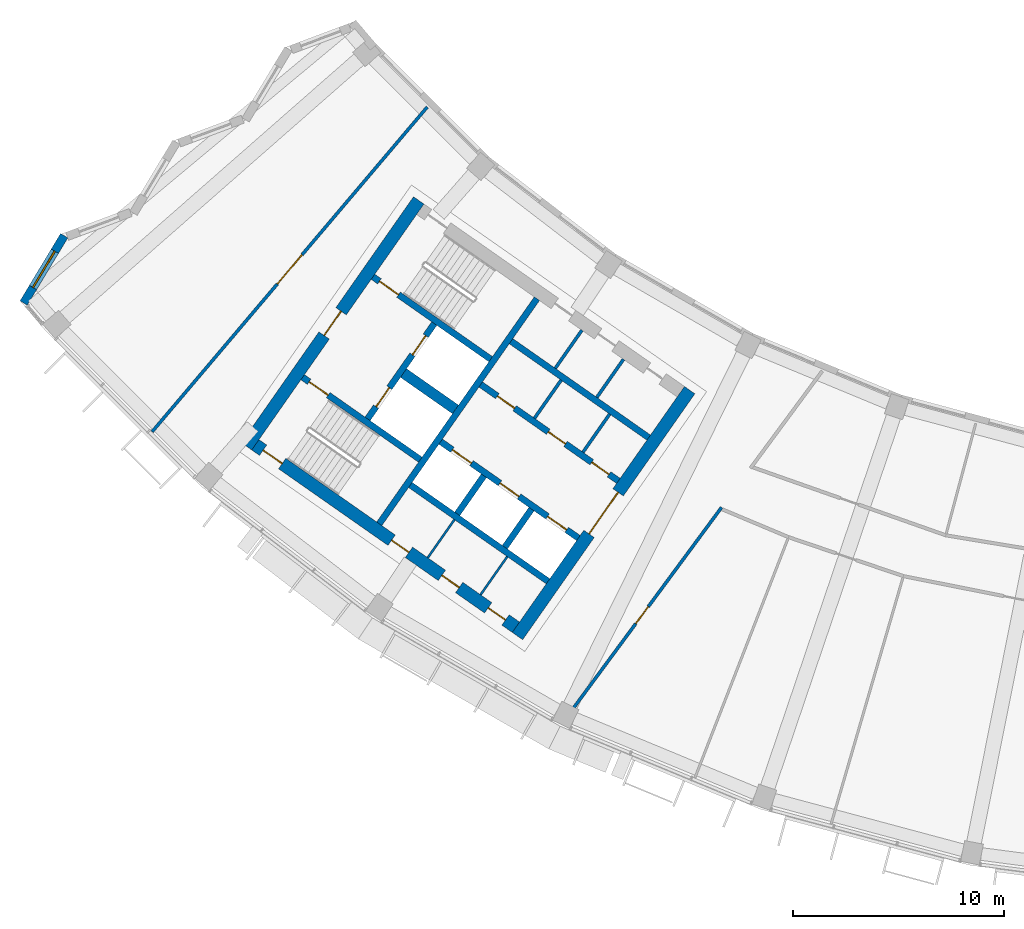
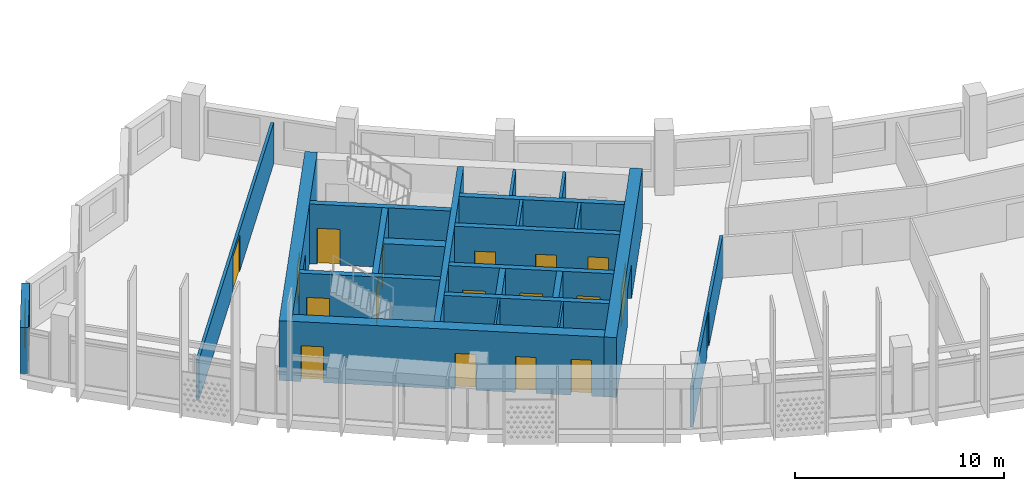
# One storey, part 3 of 28: 23 walls, 18 doors, 1 window, 19 openings.
"""IFC4 building model written with IfcOpenShell, lengths in metres."""

from ifc_helpers import new_model, si_unit, direction, frame, frame_2d, origin, place, context, subcontext, project, spatial, rectangle, extrude, material, layer, layer_set, type_object, element, fill, save


model = new_model("IFC4")

# Units and contexts
model_context = context("Model", 3, precision=1e-05, world=origin(), true_north=direction((0.0, 1.0)))
body_context = subcontext(model_context, "Body", "Model", "MODEL_VIEW")
ifc_project = project(units=[si_unit("LENGTHUNIT", "METRE"), si_unit("AREAUNIT", "SQUARE_METRE"), si_unit("VOLUMEUNIT", "CUBIC_METRE"), si_unit("PLANEANGLEUNIT", "RADIAN"), si_unit("MASSUNIT", "GRAM", prefix="KILO")], contexts=[model_context])

# Site, building, storey
site_placement = place(None, origin())
site = spatial("IfcSite", under=ifc_project, at=site_placement, CompositionType="ELEMENT")
building_placement = place(site_placement, origin())
building = spatial("IfcBuilding", under=site, at=building_placement, Name="Qamariyya Broadcast Tower", CompositionType="ELEMENT")
storey_placement = place(building_placement, frame((0.0, 0.0, 265.699951171875)))
storey = spatial("IfcBuildingStorey", under=building, at=storey_placement, Name="L64", CompositionType="ELEMENT", Elevation=265.699951171875)

# Wall, opening, door
ifc_material_1 = material(Name="Concrete C60/75", Category="concrete")
ifc_layer_1 = layer(ifc_material_1, 0.60009765625)
ifc_layer_set_1 = layer_set([ifc_layer_1], Name="Core wall 600 mm Concrete C60/75")
wall_type_1 = type_object("IfcWallType", Name="Core wall 600 mm Concrete C60/75", PredefinedType="SHEAR", material=ifc_layer_set_1)
wall_1_placement = place(storey_placement, frame((-36.66748046875, -66.005126953125, 0.0), z_axis=(0.0, 0.0, 1.0), x_axis=(0.573568499524, 0.819157601658, 0.0)))
wall_1 = element("IfcWall", 1, at=wall_1_placement, inside=storey, type_object=wall_type_1, Name="k-W-L64-WA", PredefinedType="SHEAR", context=body_context, shape_type="SweptSolid", body=[
    extrude(rectangle(XDim=14.19970703125, YDim=0.60009765625, at=frame_2d((7.099853515625, 0.0))), origin(), (0.0, 0.0, 1.0), 3.5),
])
opening_1_placement = place(wall_1_placement, frame((5.89990234375, 0.0, 0.0)))
opening_1 = element("IfcOpeningElement", 2, at=opening_1_placement, cuts=wall_1, Name="Opening KD3-W1", PredefinedType="OPENING", context=body_context, shape_type="SweptSolid", body=[
    extrude(rectangle(XDim=2.39990234375, YDim=2.10009765625, at=frame_2d((1.199951171875, 1.050048828125))), frame((0.0, 0.31005859375, 0.0), z_axis=(0.0, -1.0, 0.0), x_axis=(1.0, 0.0, 0.0)), (0.0, 0.0, 1.0), 0.6201171875),
])
ifc_material_2 = material(Name="Steel fire-resisting door leaf", Category="steel")
door_type_1 = type_object("IfcDoorType", Name="Lift lobby door KD3", OperationType="DOUBLE_DOOR_SINGLE_SWING", PredefinedType="DOOR", material=ifc_material_2)
door_1_placement = place(opening_1_placement, origin())
door_1 = element("IfcDoor", 3, at=door_1_placement, inside=storey, type_object=door_type_1, Name="k-W-L64-WA-D1", OperationType="DOUBLE_DOOR_SINGLE_SWING", OverallHeight=2.10009765625, OverallWidth=2.39990234375, PredefinedType="DOOR", context=body_context, shape_type="SweptSolid", body=[
    extrude(rectangle(XDim=2.39990234375, YDim=2.10009765625, at=frame_2d((1.199951171875, 1.050048828125))), frame((0.0, 0.02490234375, 0.0), z_axis=(0.0, -1.0, 0.0), x_axis=(1.0, 0.0, 0.0)), (0.0, 0.0, 1.0), 0.050048828125),
])
fill(opening_1, door_1)

wall_2_placement = place(storey_placement, frame((-49.4833984375, -57.031494140625, 0.0), z_axis=(0.0, 0.0, 1.0), x_axis=(0.573560421458, 0.819163257805, 0.0)))
wall_2 = element("IfcWall", 4, at=wall_2_placement, inside=storey, type_object=wall_type_1, Name="k-W-L64-WH", PredefinedType="SHEAR", context=body_context, shape_type="SweptSolid", body=[
    extrude(rectangle(XDim=14.199951171875, YDim=0.60009765625, at=frame_2d((7.10009765625, 0.0))), origin(), (0.0, 0.0, 1.0), 3.5),
])
opening_2_placement = place(wall_2_placement, frame((6.39990234375, 0.0, 0.0)))
opening_2 = element("IfcOpeningElement", 5, at=opening_2_placement, cuts=wall_2, Name="Opening KD2-W1", PredefinedType="OPENING", context=body_context, shape_type="SweptSolid", body=[
    extrude(rectangle(XDim=1.39990234375, YDim=2.10009765625, at=frame_2d((0.699951171875, 1.050048828125))), frame((0.0, 0.31005859375, 0.0), z_axis=(0.0, -1.0, 0.0), x_axis=(1.0, 0.0, 0.0)), (0.0, 0.0, 1.0), 0.6201171875),
])
door_type_2 = type_object("IfcDoorType", Name="Fire-fighting lobby door KD2", OperationType="DOUBLE_DOOR_SINGLE_SWING", PredefinedType="DOOR", material=ifc_material_2)
door_2_placement = place(opening_2_placement, origin())
door_2 = element("IfcDoor", 6, at=door_2_placement, inside=storey, type_object=door_type_2, Name="k-W-L64-WH-D16", OperationType="DOUBLE_DOOR_SINGLE_SWING", OverallHeight=2.10009765625, OverallWidth=1.39990234375, PredefinedType="DOOR", context=body_context, shape_type="SweptSolid", body=[
    extrude(rectangle(XDim=1.39990234375, YDim=2.10009765625, at=frame_2d((0.699951171875, 1.050048828125))), frame((0.0, 0.02490234375, 0.0), z_axis=(0.0, -1.0, 0.0), x_axis=(1.0, 0.0, 0.0)), (0.0, 0.0, 1.0), 0.050048828125),
])
fill(opening_2, door_2)

# Wall, openings, doors
wall_3_placement = place(storey_placement, frame((-36.7412109375, -65.58740234375, 0.0), z_axis=(0.0, 0.0, 1.0), x_axis=(-0.819153391756, 0.573574511963, 0.0)))
wall_3 = element("IfcWall", 7, at=wall_3_placement, inside=storey, type_object=wall_type_1, Name="k-W-L64-WO", PredefinedType="SHEAR", context=body_context, shape_type="SweptSolid", body=[
    extrude(rectangle(XDim=15.04541015625, YDim=0.60009765625, at=frame_2d((7.522705078125, 0.0))), origin(), (0.0, 0.0, 1.0), 3.5),
])
opening_3_placement = place(wall_3_placement, frame((0.60009765625, 0.0, 0.0)))
opening_3 = element("IfcOpeningElement", 8, at=opening_3_placement, cuts=wall_3, Name="Opening KD4-W2", PredefinedType="OPENING", context=body_context, shape_type="SweptSolid", body=[
    extrude(rectangle(XDim=1.0, YDim=2.10009765625, at=frame_2d((0.5, 1.050048828125))), frame((0.0, 0.31005859375, 0.0), z_axis=(0.0, -1.0, 0.0), x_axis=(1.0, 0.0, 0.0)), (0.0, 0.0, 1.0), 0.6201171875),
])
opening_4_placement = place(wall_3_placement, frame((3.27490234375, 0.0, 0.0)))
opening_4 = element("IfcOpeningElement", 9, at=opening_4_placement, cuts=wall_3, Name="Opening KD4-W3", PredefinedType="OPENING", context=body_context, shape_type="SweptSolid", body=[
    extrude(rectangle(XDim=1.0, YDim=2.10009765625, at=frame_2d((0.5, 1.050048828125))), frame((0.0, 0.31005859375, 0.0), z_axis=(0.0, -1.0, 0.0), x_axis=(1.0, 0.0, 0.0)), (0.0, 0.0, 1.0), 0.6201171875),
])
opening_5_placement = place(wall_3_placement, frame((6.175048828125, 0.0, 0.0)))
opening_5 = element("IfcOpeningElement", 10, at=opening_5_placement, cuts=wall_3, Name="Opening KD4-W4", PredefinedType="OPENING", context=body_context, shape_type="SweptSolid", body=[
    extrude(rectangle(XDim=1.0, YDim=2.10009765625, at=frame_2d((0.5, 1.050048828125))), frame((0.0, 0.31005859375, 0.0), z_axis=(0.0, -1.0, 0.0), x_axis=(1.0, 0.0, 0.0)), (0.0, 0.0, 1.0), 0.6201171875),
])
opening_6_placement = place(wall_3_placement, frame((13.495361328125, 0.0, 0.0)))
opening_6 = element("IfcOpeningElement", 11, at=opening_6_placement, cuts=wall_3, Name="Opening KD1-W3", PredefinedType="OPENING", context=body_context, shape_type="SweptSolid", body=[
    extrude(rectangle(XDim=1.10009765625, YDim=2.10009765625, at=frame_2d((0.550048828125, 1.050048828125))), frame((0.0, 0.31005859375, 0.0), z_axis=(0.0, -1.0, 0.0), x_axis=(1.0, 0.0, 0.0)), (0.0, 0.0, 1.0), 0.6201171875),
])
door_type_3 = type_object("IfcDoorType", Name="Riser and plant door KD4", OperationType="SINGLE_SWING_LEFT", PredefinedType="DOOR", material=ifc_material_2)
door_3_placement = place(opening_3_placement, origin())
door_3 = element("IfcDoor", 12, at=door_3_placement, inside=storey, type_object=door_type_3, Name="k-W-L64-WO-D11", OperationType="SINGLE_SWING_RIGHT", OverallHeight=2.10009765625, OverallWidth=1.0, PredefinedType="DOOR", context=body_context, shape_type="SweptSolid", body=[
    extrude(rectangle(XDim=1.0, YDim=2.10009765625, at=frame_2d((0.5, 1.050048828125))), frame((0.0, 0.02490234375, 0.0), z_axis=(0.0, -1.0, 0.0), x_axis=(1.0, 0.0, 0.0)), (0.0, 0.0, 1.0), 0.050048828125),
])
fill(opening_3, door_3)
door_4_placement = place(opening_4_placement, origin())
door_4 = element("IfcDoor", 13, at=door_4_placement, inside=storey, type_object=door_type_3, Name="k-W-L64-WO-D12", OperationType="SINGLE_SWING_LEFT", OverallHeight=2.10009765625, OverallWidth=1.0, PredefinedType="DOOR", context=body_context, shape_type="SweptSolid", body=[
    extrude(rectangle(XDim=1.0, YDim=2.10009765625, at=frame_2d((0.5, 1.050048828125))), frame((0.0, 0.02490234375, 0.0), z_axis=(0.0, -1.0, 0.0), x_axis=(1.0, 0.0, 0.0)), (0.0, 0.0, 1.0), 0.050048828125),
])
fill(opening_4, door_4)
door_5_placement = place(opening_5_placement, origin())
door_5 = element("IfcDoor", 14, at=door_5_placement, inside=storey, type_object=door_type_3, Name="k-W-L64-WO-D13", OperationType="SINGLE_SWING_RIGHT", OverallHeight=2.10009765625, OverallWidth=1.0, PredefinedType="DOOR", context=body_context, shape_type="SweptSolid", body=[
    extrude(rectangle(XDim=1.0, YDim=2.10009765625, at=frame_2d((0.5, 1.050048828125))), frame((0.0, 0.02490234375, 0.0), z_axis=(0.0, -1.0, 0.0), x_axis=(1.0, 0.0, 0.0)), (0.0, 0.0, 1.0), 0.050048828125),
])
fill(opening_5, door_5)
door_type_4 = type_object("IfcDoorType", Name="Stair door KD1", OperationType="SINGLE_SWING_LEFT", PredefinedType="DOOR", material=ifc_material_2)
door_6_placement = place(opening_6_placement, origin())
door_6 = element("IfcDoor", 15, at=door_6_placement, inside=storey, type_object=door_type_4, Name="k-W-L64-WO-D19", OperationType="SINGLE_SWING_LEFT", OverallHeight=2.10009765625, OverallWidth=1.10009765625, PredefinedType="DOOR", context=body_context, shape_type="SweptSolid", body=[
    extrude(rectangle(XDim=1.10009765625, YDim=2.10009765625, at=frame_2d((0.550048828125, 1.050048828125))), frame((0.0, 0.02490234375, 0.0), z_axis=(0.0, -1.0, 0.0), x_axis=(1.0, 0.0, 0.0)), (0.0, 0.0, 1.0), 0.050048828125),
])
fill(opening_6, door_6)

# Wall, opening, door
ifc_material_3 = material(Name="Gypsum board partition")
ifc_layer_2 = layer(ifc_material_3, 0.14990234375)
ifc_layer_set_2 = layer_set([ifc_layer_2], Name="Corridor partition 150 EI 60")
wall_type_2 = type_object("IfcWallType", Name="Corridor partition 150 EI 60", PredefinedType="PARTITIONING", material=ifc_layer_set_2)
wall_4_placement = place(storey_placement, frame((-53.946044921875, -56.33837890625, 0.0), z_axis=(0.0, 0.0, 1.0), x_axis=(0.646426079671, 0.76297662056, 0.0)))
wall_4 = element("IfcWall", 16, at=wall_4_placement, inside=storey, type_object=wall_type_2, Name="Partition L64-001", PredefinedType="PARTITIONING", context=body_context, shape_type="SweptSolid", body=[
    extrude(rectangle(XDim=20.1259765625, YDim=0.14990234375, at=frame_2d((10.06298828125, 0.0))), origin(), (0.0, 0.0, 1.0), 2.400146484375),
])
opening_7_placement = place(wall_4_placement, frame((9.1630859375, 0.0, 0.0)))
opening_7 = element("IfcOpeningElement", 17, at=opening_7_placement, cuts=wall_4, Name="Opening L64-D14", PredefinedType="OPENING", context=body_context, shape_type="SweptSolid", body=[
    extrude(rectangle(XDim=1.800048828125, YDim=2.10009765625, at=frame_2d((0.89990234375, 1.050048828125))), frame((0.0, 0.0849609375, 0.0), z_axis=(0.0, -1.0, 0.0), x_axis=(1.0, 0.0, 0.0)), (0.0, 0.0, 1.0), 0.169921875),
])
ifc_material_4 = material(Name="Timber fire door leaf", Category="wood")
door_type_5 = type_object("IfcDoorType", Name="Double fire door 1800 x 2100 FD60", OperationType="NOTDEFINED", PredefinedType="DOOR", material=ifc_material_4)
door_7_placement = place(opening_7_placement, origin())
door_7 = element("IfcDoor", 18, at=door_7_placement, inside=storey, type_object=door_type_5, Name="Door L64-D14", OperationType="DOUBLE_DOOR_SINGLE_SWING", OverallHeight=2.10009765625, OverallWidth=1.800048828125, PredefinedType="DOOR", context=body_context, shape_type="SweptSolid", body=[
    extrude(rectangle(XDim=1.800048828125, YDim=2.10009765625, at=frame_2d((0.89990234375, 1.050048828125))), frame((0.0, 0.02490234375, 0.0), z_axis=(0.0, -1.0, 0.0), x_axis=(1.0, 0.0, 0.0)), (0.0, 0.0, 1.0), 0.050048828125),
])
fill(opening_7, door_7)

wall_5_placement = place(storey_placement, frame((-27.012939453125, -59.919189453125, 0.0), z_axis=(0.0, 0.0, 1.0), x_axis=(-0.593869528805, -0.804561360467, 0.0)))
wall_5 = element("IfcWall", 19, at=wall_5_placement, inside=storey, type_object=wall_type_2, Name="Partition L64-003", PredefinedType="PARTITIONING", context=body_context, shape_type="SweptSolid", body=[
    extrude(rectangle(XDim=12.665283203125, YDim=0.14990234375, at=frame_2d((6.33251953125, 0.0))), origin(), (0.0, 0.0, 1.0), 2.400146484375),
])
opening_8_placement = place(wall_5_placement, frame((5.832763671875, 0.0, 0.0)))
opening_8 = element("IfcOpeningElement", 20, at=opening_8_placement, cuts=wall_5, Name="Opening L64-D01", PredefinedType="OPENING", context=body_context, shape_type="SweptSolid", body=[
    extrude(rectangle(XDim=1.0, YDim=2.10009765625, at=frame_2d((0.5, 1.050048828125))), frame((0.0, 0.0849609375, 0.0), z_axis=(0.0, -1.0, 0.0), x_axis=(1.0, 0.0, 0.0)), (0.0, 0.0, 1.0), 0.169921875),
])
door_type_6 = type_object("IfcDoorType", Name="Fire door 1000 x 2100 FD60", OperationType="NOTDEFINED", PredefinedType="DOOR", material=ifc_material_4)
door_8_placement = place(opening_8_placement, origin())
door_8 = element("IfcDoor", 21, at=door_8_placement, inside=storey, type_object=door_type_6, Name="Door L64-D01", OperationType="SINGLE_SWING_RIGHT", OverallHeight=2.10009765625, OverallWidth=1.0, PredefinedType="DOOR", context=body_context, shape_type="SweptSolid", body=[
    extrude(rectangle(XDim=1.0, YDim=2.10009765625, at=frame_2d((0.5, 1.050048828125))), frame((0.0, 0.02490234375, 0.0), z_axis=(0.0, -1.0, 0.0), x_axis=(1.0, 0.0, 0.0)), (0.0, 0.0, 1.0), 0.050048828125),
])
fill(opening_8, door_8)

# Walls
ifc_layer_3 = layer(ifc_material_1, 0.5)
ifc_layer_set_3 = layer_set([ifc_layer_3], Name="Fire-fighting lobby divider wall 500 mm Concrete C60/75")
wall_type_3 = type_object("IfcWallType", Name="Fire-fighting lobby divider wall 500 mm Concrete C60/75", PredefinedType="SOLIDWALL", material=ifc_layer_set_3)
wall_6_placement = place(storey_placement, frame((-39.59912109375, -55.28515625, 0.0), z_axis=(0.0, 0.0, 1.0), x_axis=(-0.819136323161, 0.573598887793, 0.0)))
element("IfcWall", 22, at=wall_6_placement, inside=storey, type_object=wall_type_3, Name="k-W-L64-FD", PredefinedType="SOLIDWALL", context=body_context, shape_type="SweptSolid", body=[
    extrude(rectangle(XDim=2.999755859375, YDim=0.5, at=frame_2d((1.5, 0.0))), origin(), (0.0, 0.0, 1.0), 3.5),
])
ifc_material_5 = material(Name="Gypsum board partition on steel studs", Category="steel")
ifc_layer_4 = layer(ifc_material_5, 0.14990234375)
ifc_layer_set_4 = layer_set([ifc_layer_4], Name="Gypsum board partition 150 mm")
wall_type_4 = type_object("IfcWallType", Name="Gypsum board partition 150 mm", PredefinedType="PARTITIONING", material=ifc_layer_set_4)
for number, where, z_axis, x_axis, name in (
    (23, (-33.569580078125, -57.3095703125, 0.0), (0.0, 0.0, 1.0), (0.573507030513, 0.819200638399, 0.0), "k-W-L64-NC215"),
    (24, (-35.86328125, -55.70361328125, 0.0), (0.0, 0.0, 1.0), (0.573507030513, 0.819200638399, 0.0), "k-W-L64-NC495"),
):
    element("IfcWall", number, at=place(storey_placement, frame(where, z_axis=z_axis, x_axis=x_axis)), inside=storey, type_object=wall_type_4, Name=name, PredefinedType="PARTITIONING", context=body_context, shape_type="SweptSolid", body=[
        extrude(rectangle(XDim=2.199951171875, YDim=0.14990234375, at=frame_2d((1.10009765625, 0.0))), origin(), (0.0, 0.0, 1.0), 3.5),
    ])
wall_7_placement = place(storey_placement, frame((-32.9140625, -54.716796875, 0.0), z_axis=(0.0, 0.0, 1.0), x_axis=(0.573581496053, 0.819148501424, 0.0)))
element("IfcWall", 25, at=wall_7_placement, inside=storey, type_object=wall_type_4, Name="k-W-L64-NP310", PredefinedType="PARTITIONING", context=body_context, shape_type="SweptSolid", body=[
    extrude(rectangle(XDim=2.2001953125, YDim=0.14990234375, at=frame_2d((1.10009765625, 0.0))), origin(), (0.0, 0.0, 1.0), 3.5),
])
wall_8_placement = place(storey_placement, frame((-34.8798828125, -53.340087890625, 0.0), z_axis=(0.0, 0.0, 1.0), x_axis=(0.573559170999, 0.819164133348, 0.0)))
element("IfcWall", 26, at=wall_8_placement, inside=storey, type_object=wall_type_4, Name="k-W-L64-NP550", PredefinedType="PARTITIONING", context=body_context, shape_type="SweptSolid", body=[
    extrude(rectangle(XDim=2.19970703125, YDim=0.14990234375, at=frame_2d((1.099853515625, 0.0))), origin(), (0.0, 0.0, 1.0), 3.5),
])
ifc_layer_5 = layer(ifc_material_1, 0.300048828125)
ifc_layer_set_5 = layer_set([ifc_layer_5], Name="Lift shaft wall 300 mm Concrete C60/75")
wall_type_5 = type_object("IfcWallType", Name="Lift shaft wall 300 mm Concrete C60/75", PredefinedType="SOLIDWALL", material=ifc_layer_set_5)
wall_9_placement = place(storey_placement, frame((-43.204345703125, -60.69580078125, 0.0), z_axis=(0.0, 0.0, 1.0), x_axis=(0.573571992966, 0.819155155563, 0.0)))
element("IfcWall", 27, at=wall_9_placement, inside=storey, type_object=wall_type_5, Name="k-W-L64-WL", PredefinedType="SOLIDWALL", context=body_context, shape_type="SweptSolid", body=[
    extrude(rectangle(XDim=13.000244140625, YDim=0.300048828125, at=frame_2d((6.5, 0.0))), origin(), (0.0, 0.0, 1.0), 3.5),
])

# Wall, openings, doors
wall_10_placement = place(storey_placement, frame((-31.89453125, -58.66552734375, 0.0), z_axis=(0.0, 0.0, 1.0), x_axis=(-0.819166993208, 0.573555086491, 0.0)))
wall_10 = element("IfcWall", 28, at=wall_10_placement, inside=storey, type_object=wall_type_5, Name="k-W-L64-NF0", PredefinedType="SOLIDWALL", context=body_context, shape_type="SweptSolid", body=[
    extrude(rectangle(XDim=7.9501953125, YDim=0.300048828125, at=frame_2d((3.97509765625, 0.0))), origin(), (0.0, 0.0, 1.0), 3.5),
])
opening_9_placement = place(wall_10_placement, frame((0.53759765625, 0.0, 0.0)))
opening_9 = element("IfcOpeningElement", 29, at=opening_9_placement, cuts=wall_10, Name="Opening KD6-W1", PredefinedType="OPENING", context=body_context, shape_type="SweptSolid", body=[
    extrude(rectangle(XDim=1.0, YDim=2.10009765625, at=frame_2d((0.5, 1.050048828125))), frame((0.0, 0.159912109375, 0.0), z_axis=(0.0, -1.0, 0.0), x_axis=(1.0, 0.0, 0.0)), (0.0, 0.0, 1.0), 0.320068359375),
])
opening_10_placement = place(wall_10_placement, frame((3.050048828125, 0.0, 0.0)))
opening_10 = element("IfcOpeningElement", 30, at=opening_10_placement, cuts=wall_10, Name="Opening KD6-W2", PredefinedType="OPENING", context=body_context, shape_type="SweptSolid", body=[
    extrude(rectangle(XDim=1.0, YDim=2.10009765625, at=frame_2d((0.5, 1.050048828125))), frame((0.0, 0.159912109375, 0.0), z_axis=(0.0, -1.0, 0.0), x_axis=(1.0, 0.0, 0.0)), (0.0, 0.0, 1.0), 0.320068359375),
])
opening_11_placement = place(wall_10_placement, frame((5.987548828125, 0.0, 0.0)))
opening_11 = element("IfcOpeningElement", 31, at=opening_11_placement, cuts=wall_10, Name="Opening KD4-W1", PredefinedType="OPENING", context=body_context, shape_type="SweptSolid", body=[
    extrude(rectangle(XDim=1.0, YDim=2.10009765625, at=frame_2d((0.5, 1.050048828125))), frame((0.0, 0.159912109375, 0.0), z_axis=(0.0, -1.0, 0.0), x_axis=(1.0, 0.0, 0.0)), (0.0, 0.0, 1.0), 0.320068359375),
])
door_type_7 = type_object("IfcDoorType", Name="Core room door KD6", OperationType="SINGLE_SWING_LEFT", PredefinedType="DOOR", material=ifc_material_2)
door_9_placement = place(opening_9_placement, origin())
door_9 = element("IfcDoor", 32, at=door_9_placement, inside=storey, type_object=door_type_7, Name="k-W-L64-NF0-D2", OperationType="SINGLE_SWING_LEFT", OverallHeight=2.10009765625, OverallWidth=1.0, PredefinedType="DOOR", context=body_context, shape_type="SweptSolid", body=[
    extrude(rectangle(XDim=1.0, YDim=2.10009765625, at=frame_2d((0.5, 1.050048828125))), frame((0.0, 0.02490234375, 0.0), z_axis=(0.0, -1.0, 0.0), x_axis=(1.0, 0.0, 0.0)), (0.0, 0.0, 1.0), 0.050048828125),
])
fill(opening_9, door_9)
door_10_placement = place(opening_10_placement, origin())
door_10 = element("IfcDoor", 33, at=door_10_placement, inside=storey, type_object=door_type_7, Name="k-W-L64-NF0-D3", OperationType="SINGLE_SWING_RIGHT", OverallHeight=2.10009765625, OverallWidth=1.0, PredefinedType="DOOR", context=body_context, shape_type="SweptSolid", body=[
    extrude(rectangle(XDim=1.0, YDim=2.10009765625, at=frame_2d((0.5, 1.050048828125))), frame((0.0, 0.02490234375, 0.0), z_axis=(0.0, -1.0, 0.0), x_axis=(1.0, 0.0, 0.0)), (0.0, 0.0, 1.0), 0.050048828125),
])
fill(opening_10, door_10)
door_11_placement = place(opening_11_placement, origin())
door_11 = element("IfcDoor", 34, at=door_11_placement, inside=storey, type_object=door_type_3, Name="k-W-L64-NF0-D4", OperationType="SINGLE_SWING_LEFT", OverallHeight=2.10009765625, OverallWidth=1.0, PredefinedType="DOOR", context=body_context, shape_type="SweptSolid", body=[
    extrude(rectangle(XDim=1.0, YDim=2.10009765625, at=frame_2d((0.5, 1.050048828125))), frame((0.0, 0.02490234375, 0.0), z_axis=(0.0, -1.0, 0.0), x_axis=(1.0, 0.0, 0.0)), (0.0, 0.0, 1.0), 0.050048828125),
])
fill(opening_11, door_11)

# Wall
wall_11_placement = place(storey_placement, frame((-30.460693359375, -56.61767578125, 0.0), z_axis=(0.0, 0.0, 1.0), x_axis=(-0.819142461705, 0.573590121456, 0.0)))
element("IfcWall", 35, at=wall_11_placement, inside=storey, type_object=wall_type_5, Name="k-W-L64-NB0", PredefinedType="SOLIDWALL", context=body_context, shape_type="SweptSolid", body=[
    extrude(rectangle(XDim=7.949951171875, YDim=0.300048828125, at=frame_2d((3.97509765625, 0.0))), origin(), (0.0, 0.0, 1.0), 3.5),
])

# Wall, openings, doors
wall_12_placement = place(storey_placement, frame((-33.787353515625, -61.368896484375, 0.0), z_axis=(0.0, 0.0, 1.0), x_axis=(-0.819152564888, 0.573575692858, 0.0)))
wall_12 = element("IfcWall", 36, at=wall_12_placement, inside=storey, type_object=wall_type_5, Name="k-W-L64-SF0", PredefinedType="SOLIDWALL", context=body_context, shape_type="SweptSolid", body=[
    extrude(rectangle(XDim=7.9501953125, YDim=0.300048828125, at=frame_2d((3.97509765625, 0.0))), origin(), (0.0, 0.0, 1.0), 3.5),
])
opening_12_placement = place(wall_12_placement, frame((0.675048828125, 0.0, 0.0)))
opening_12 = element("IfcOpeningElement", 37, at=opening_12_placement, cuts=wall_12, Name="Opening LD", PredefinedType="OPENING", context=body_context, shape_type="SweptSolid", body=[
    extrude(rectangle(XDim=1.10009765625, YDim=2.10009765625, at=frame_2d((0.550048828125, 1.050048828125))), frame((0.0, 0.159912109375, 0.0), z_axis=(0.0, -1.0, 0.0), x_axis=(1.0, 0.0, 0.0)), (0.0, 0.0, 1.0), 0.320068359375),
])
opening_13_placement = place(wall_12_placement, frame((3.425048828125, 0.0, 0.0)))
opening_13 = element("IfcOpeningElement", 38, at=opening_13_placement, cuts=wall_12, Name="Opening LD", PredefinedType="OPENING", context=body_context, shape_type="SweptSolid", body=[
    extrude(rectangle(XDim=1.10009765625, YDim=2.10009765625, at=frame_2d((0.550048828125, 1.050048828125))), frame((0.0, 0.159912109375, 0.0), z_axis=(0.0, -1.0, 0.0), x_axis=(1.0, 0.0, 0.0)), (0.0, 0.0, 1.0), 0.320068359375),
])
opening_14_placement = place(wall_12_placement, frame((6.175048828125, 0.0, 0.0)))
opening_14 = element("IfcOpeningElement", 39, at=opening_14_placement, cuts=wall_12, Name="Opening LD", PredefinedType="OPENING", context=body_context, shape_type="SweptSolid", body=[
    extrude(rectangle(XDim=1.10009765625, YDim=2.10009765625, at=frame_2d((0.550048828125, 1.050048828125))), frame((0.0, 0.159912109375, 0.0), z_axis=(0.0, -1.0, 0.0), x_axis=(1.0, 0.0, 0.0)), (0.0, 0.0, 1.0), 0.320068359375),
])
door_type_8 = type_object("IfcDoorType", Name="Lift landing door LD", OperationType="DOUBLE_DOOR_SLIDING", PredefinedType="DOOR", material=ifc_material_2)
door_12_placement = place(opening_12_placement, origin())
door_12 = element("IfcDoor", 40, at=door_12_placement, inside=storey, type_object=door_type_8, Name="k-W-L64-SF0-D5", OperationType="DOUBLE_DOOR_SLIDING", OverallHeight=2.10009765625, OverallWidth=1.10009765625, PredefinedType="DOOR", context=body_context, shape_type="SweptSolid", body=[
    extrude(rectangle(XDim=1.10009765625, YDim=2.10009765625, at=frame_2d((0.550048828125, 1.050048828125))), frame((0.0, 0.02490234375, 0.0), z_axis=(0.0, -1.0, 0.0), x_axis=(1.0, 0.0, 0.0)), (0.0, 0.0, 1.0), 0.050048828125),
])
fill(opening_12, door_12)
door_13_placement = place(opening_13_placement, origin())
door_13 = element("IfcDoor", 41, at=door_13_placement, inside=storey, type_object=door_type_8, Name="k-W-L64-SF0-D6", OperationType="DOUBLE_DOOR_SLIDING", OverallHeight=2.10009765625, OverallWidth=1.10009765625, PredefinedType="DOOR", context=body_context, shape_type="SweptSolid", body=[
    extrude(rectangle(XDim=1.10009765625, YDim=2.10009765625, at=frame_2d((0.550048828125, 1.050048828125))), frame((0.0, 0.02490234375, 0.0), z_axis=(0.0, -1.0, 0.0), x_axis=(1.0, 0.0, 0.0)), (0.0, 0.0, 1.0), 0.050048828125),
])
fill(opening_13, door_13)
door_14_placement = place(opening_14_placement, origin())
door_14 = element("IfcDoor", 42, at=door_14_placement, inside=storey, type_object=door_type_8, Name="k-W-L64-SF0-D7", OperationType="DOUBLE_DOOR_SLIDING", OverallHeight=2.10009765625, OverallWidth=1.10009765625, PredefinedType="DOOR", context=body_context, shape_type="SweptSolid", body=[
    extrude(rectangle(XDim=1.10009765625, YDim=2.10009765625, at=frame_2d((0.550048828125, 1.050048828125))), frame((0.0, 0.02490234375, 0.0), z_axis=(0.0, -1.0, 0.0), x_axis=(1.0, 0.0, 0.0)), (0.0, 0.0, 1.0), 0.050048828125),
])
fill(opening_14, door_14)

# Walls
wall_13_placement = place(storey_placement, frame((-35.22119140625, -63.41650390625, 0.0), z_axis=(0.0, 0.0, 1.0), x_axis=(-0.819166993208, 0.573555086491, 0.0)))
element("IfcWall", 43, at=wall_13_placement, inside=storey, type_object=wall_type_5, Name="k-W-L64-SB0", PredefinedType="SOLIDWALL", context=body_context, shape_type="SweptSolid", body=[
    extrude(rectangle(XDim=7.9501953125, YDim=0.300048828125, at=frame_2d((3.97509765625, 0.0))), origin(), (0.0, 0.0, 1.0), 3.5),
])
wall_14_placement = place(storey_placement, frame((-36.003173828125, -60.000244140625, 0.0), z_axis=(0.0, 0.0, 1.0), x_axis=(-0.573581496053, -0.819148501424, 0.0)))
element("IfcWall", 44, at=wall_14_placement, inside=storey, type_object=wall_type_5, Name="k-W-L64-SD0", PredefinedType="SOLIDWALL", context=body_context, shape_type="SweptSolid", body=[
    extrude(rectangle(XDim=2.2001953125, YDim=0.300048828125, at=frame_2d((1.10009765625, 0.0))), origin(), (0.0, 0.0, 1.0), 3.5),
])
wall_15_placement = place(storey_placement, frame((-38.255859375, -58.423095703125, 0.0), z_axis=(0.0, 0.0, 1.0), x_axis=(-0.573633636671, -0.819111989218, 0.0)))
element("IfcWall", 45, at=wall_15_placement, inside=storey, type_object=wall_type_5, Name="k-W-L64-SD1", PredefinedType="SOLIDWALL", context=body_context, shape_type="SweptSolid", body=[
    extrude(rectangle(XDim=2.199951171875, YDim=0.300048828125, at=frame_2d((1.10009765625, 0.0))), origin(), (0.0, 0.0, 1.0), 3.5),
])

# Wall, opening, door
wall_16_placement = place(storey_placement, frame((-37.935546875, -52.90966796875, 0.0), z_axis=(0.0, 0.0, 1.0), x_axis=(-0.819147518138, 0.57358290031, 0.0)))
wall_16 = element("IfcWall", 46, at=wall_16_placement, inside=storey, type_object=wall_type_5, Name="k-W-L64-NW", PredefinedType="SOLIDWALL", context=body_context, shape_type="SweptSolid", body=[
    extrude(rectangle(XDim=6.79541015625, YDim=0.300048828125, at=frame_2d((3.397705078125, 0.0))), origin(), (0.0, 0.0, 1.0), 3.5),
])
opening_15_placement = place(wall_16_placement, frame((5.3203125, 0.0, 0.0)))
opening_15 = element("IfcOpeningElement", 47, at=opening_15_placement, cuts=wall_16, Name="Opening KD1-W2", PredefinedType="OPENING", context=body_context, shape_type="SweptSolid", body=[
    extrude(rectangle(XDim=1.10009765625, YDim=2.10009765625, at=frame_2d((0.550048828125, 1.050048828125))), frame((0.0, 0.159912109375, 0.0), z_axis=(0.0, -1.0, 0.0), x_axis=(1.0, 0.0, 0.0)), (0.0, 0.0, 1.0), 0.320068359375),
])
door_15_placement = place(opening_15_placement, origin())
door_15 = element("IfcDoor", 48, at=door_15_placement, inside=storey, type_object=door_type_4, Name="k-W-L64-NW-D18", OperationType="SINGLE_SWING_LEFT", OverallHeight=2.10009765625, OverallWidth=1.10009765625, PredefinedType="DOOR", context=body_context, shape_type="SweptSolid", body=[
    extrude(rectangle(XDim=1.10009765625, YDim=2.10009765625, at=frame_2d((0.550048828125, 1.050048828125))), frame((0.0, 0.02490234375, 0.0), z_axis=(0.0, -1.0, 0.0), x_axis=(1.0, 0.0, 0.0)), (0.0, 0.0, 1.0), 0.050048828125),
])
fill(opening_15, door_15)

wall_17_placement = place(storey_placement, frame((-41.262451171875, -57.66064453125, 0.0), z_axis=(0.0, 0.0, 1.0), x_axis=(-0.819164398642, 0.573558792102, 0.0)))
wall_17 = element("IfcWall", 49, at=wall_17_placement, inside=storey, type_object=wall_type_5, Name="k-W-L64-SW", PredefinedType="SOLIDWALL", context=body_context, shape_type="SweptSolid", body=[
    extrude(rectangle(XDim=6.795166015625, YDim=0.300048828125, at=frame_2d((3.3974609375, 0.0))), origin(), (0.0, 0.0, 1.0), 3.5),
])
opening_16_placement = place(wall_17_placement, frame((5.3203125, 0.0, 0.0)))
opening_16 = element("IfcOpeningElement", 50, at=opening_16_placement, cuts=wall_17, Name="Opening KD1-W4", PredefinedType="OPENING", context=body_context, shape_type="SweptSolid", body=[
    extrude(rectangle(XDim=1.10009765625, YDim=2.10009765625, at=frame_2d((0.550048828125, 1.050048828125))), frame((0.0, 0.159912109375, 0.0), z_axis=(0.0, -1.0, 0.0), x_axis=(1.0, 0.0, 0.0)), (0.0, 0.0, 1.0), 0.320068359375),
])
door_16_placement = place(opening_16_placement, origin())
door_16 = element("IfcDoor", 51, at=door_16_placement, inside=storey, type_object=door_type_4, Name="k-W-L64-SW-D20", OperationType="SINGLE_SWING_LEFT", OverallHeight=2.10009765625, OverallWidth=1.10009765625, PredefinedType="DOOR", context=body_context, shape_type="SweptSolid", body=[
    extrude(rectangle(XDim=1.10009765625, YDim=2.10009765625, at=frame_2d((0.550048828125, 1.050048828125))), frame((0.0, 0.02490234375, 0.0), z_axis=(0.0, -1.0, 0.0), x_axis=(1.0, 0.0, 0.0)), (0.0, 0.0, 1.0), 0.050048828125),
])
fill(opening_16, door_16)

# Wall, openings, doors
wall_18_placement = place(storey_placement, frame((-43.756591796875, -55.731201171875, 0.0), z_axis=(0.0, 0.0, 1.0), x_axis=(0.573536818435, 0.819179783625, 0.0)))
wall_18 = element("IfcWall", 52, at=wall_18_placement, inside=storey, type_object=wall_type_5, Name="k-W-L64-FF", PredefinedType="SOLIDWALL", context=body_context, shape_type="SweptSolid", body=[
    extrude(rectangle(XDim=5.500244140625, YDim=0.300048828125, at=frame_2d((2.75, 0.0))), origin(), (0.0, 0.0, 1.0), 3.5),
])
opening_17_placement = place(wall_18_placement, frame((0.699951171875, 0.0, 0.0)))
opening_17 = element("IfcOpeningElement", 53, at=opening_17_placement, cuts=wall_18, Name="Opening LD", PredefinedType="OPENING", context=body_context, shape_type="SweptSolid", body=[
    extrude(rectangle(XDim=1.10009765625, YDim=2.10009765625, at=frame_2d((0.550048828125, 1.050048828125))), frame((0.0, 0.159912109375, 0.0), z_axis=(0.0, -1.0, 0.0), x_axis=(1.0, 0.0, 0.0)), (0.0, 0.0, 1.0), 0.320068359375),
])
opening_18_placement = place(wall_18_placement, frame((3.699951171875, 0.0, 0.0)))
opening_18 = element("IfcOpeningElement", 54, at=opening_18_placement, cuts=wall_18, Name="Opening LD", PredefinedType="OPENING", context=body_context, shape_type="SweptSolid", body=[
    extrude(rectangle(XDim=1.10009765625, YDim=2.10009765625, at=frame_2d((0.550048828125, 1.050048828125))), frame((0.0, 0.159912109375, 0.0), z_axis=(0.0, -1.0, 0.0), x_axis=(1.0, 0.0, 0.0)), (0.0, 0.0, 1.0), 0.320068359375),
])
door_17_placement = place(opening_17_placement, origin())
door_17 = element("IfcDoor", 55, at=door_17_placement, inside=storey, type_object=door_type_8, Name="k-W-L64-FF-D14", OperationType="DOUBLE_DOOR_SLIDING", OverallHeight=2.10009765625, OverallWidth=1.10009765625, PredefinedType="DOOR", context=body_context, shape_type="SweptSolid", body=[
    extrude(rectangle(XDim=1.10009765625, YDim=2.10009765625, at=frame_2d((0.550048828125, 1.050048828125))), frame((0.0, 0.02490234375, 0.0), z_axis=(0.0, -1.0, 0.0), x_axis=(1.0, 0.0, 0.0)), (0.0, 0.0, 1.0), 0.050048828125),
])
fill(opening_17, door_17)
door_18_placement = place(opening_18_placement, origin())
door_18 = element("IfcDoor", 56, at=door_18_placement, inside=storey, type_object=door_type_8, Name="k-W-L64-FF-D15", OperationType="DOUBLE_DOOR_SLIDING", OverallHeight=2.10009765625, OverallWidth=1.10009765625, PredefinedType="DOOR", context=body_context, shape_type="SweptSolid", body=[
    extrude(rectangle(XDim=1.10009765625, YDim=2.10009765625, at=frame_2d((0.550048828125, 1.050048828125))), frame((0.0, 0.02490234375, 0.0), z_axis=(0.0, -1.0, 0.0), x_axis=(1.0, 0.0, 0.0)), (0.0, 0.0, 1.0), 0.050048828125),
])
fill(opening_18, door_18)

# Walls
ifc_material_6 = material(Name="Fire-rated gypsum shaft liner on steel studs", Category="steel")
ifc_layer_6 = layer(ifc_material_6, 0.10009765625)
ifc_layer_set_6 = layer_set([ifc_layer_6], Name="Riser wall 100 mm")
wall_type_6 = type_object("IfcWallType", Name="Riser wall 100 mm", PredefinedType="PLUMBINGWALL", material=ifc_layer_set_6)
for number, where, z_axis, x_axis, name in (
    (57, (-37.150390625, -62.2490234375, 0.0), (0.0, 0.0, 1.0), (-0.573633636671, -0.819111989218, 0.0), "k-W-L64-SP225"),
    (58, (-39.64892578125, -60.49951171875, 0.0), (0.0, 0.0, 1.0), (-0.573507030513, -0.819200638399, 0.0), "k-W-L64-SP530"),
):
    element("IfcWall", number, at=place(storey_placement, frame(where, z_axis=z_axis, x_axis=x_axis)), inside=storey, type_object=wall_type_6, Name=name, PredefinedType="PLUMBINGWALL", context=body_context, shape_type="SweptSolid", body=[
        extrude(rectangle(XDim=2.199951171875, YDim=0.10009765625, at=frame_2d((1.10009765625, 0.0))), origin(), (0.0, 0.0, 1.0), 3.5),
    ])

# Wall, opening, window
ifc_material_7 = material(Name="Terracotta", Category="masonry")
ifc_layer_7 = layer(ifc_material_7, 0.39990234375)
ifc_layer_set_7 = layer_set([ifc_layer_7], Name="Terracotta clad wall 400")
wall_type_7 = type_object("IfcWallType", Name="Terracotta clad wall 400", PredefinedType="SOLIDWALL", material=ifc_layer_set_7)
wall_19_placement = place(storey_placement, frame((-58.107421875, -47.069091796875, 0.0), z_axis=(0.0, 0.0, 1.0), x_axis=(-0.516156033258, -0.856494570521, 0.0)))
wall_19 = element("IfcWall", 59, at=wall_19_placement, inside=storey, type_object=wall_type_7, Name="e-wl-L64-capW5", PredefinedType="SOLIDWALL", context=body_context, shape_type="SweptSolid", body=[
    extrude(rectangle(XDim=3.71728515625, YDim=0.39990234375, at=frame_2d((1.858642578125, 0.0))), origin(), (0.0, 0.0, 1.0), 2.699951171875),
])
opening_19_placement = place(wall_19_placement, frame((0.858642578125, 0.0, 0.89990234375)))
opening_19 = element("IfcOpeningElement", 60, at=opening_19_placement, cuts=wall_19, Name="Opening W4", PredefinedType="OPENING", context=body_context, shape_type="SweptSolid", body=[
    extrude(rectangle(XDim=2.0, YDim=1.5, at=frame_2d((1.0, 0.75))), frame((0.0, 0.2099609375, 0.0), z_axis=(0.0, -1.0, 0.0), x_axis=(1.0, 0.0, 0.0)), (0.0, 0.0, 1.0), 0.419921875),
])
ifc_material_8 = material(Name="Clear low-e double glazed unit in aluminium frame", Category="aluminium")
window_type = type_object("IfcWindowType", Name="Horn bay window 2000 x 1500", PartitioningType="SINGLE_PANEL", PredefinedType="WINDOW", material=ifc_material_8)
window_placement = place(opening_19_placement, origin())
window = element("IfcWindow", 61, at=window_placement, inside=storey, type_object=window_type, Name="e-w-L64-capW5", OverallHeight=1.5, OverallWidth=2.0, PartitioningType="SINGLE_PANEL", PredefinedType="WINDOW", context=body_context, shape_type="SweptSolid", body=[
    extrude(rectangle(XDim=2.0, YDim=1.5, at=frame_2d((1.0, 0.75))), frame((0.0, 0.030029296875, 0.0), z_axis=(0.0, -1.0, 0.0), x_axis=(1.0, 0.0, 0.0)), (0.0, 0.0, 1.0), 0.06005859375),
])
fill(opening_19, window)

save(model, "model.ifc")
